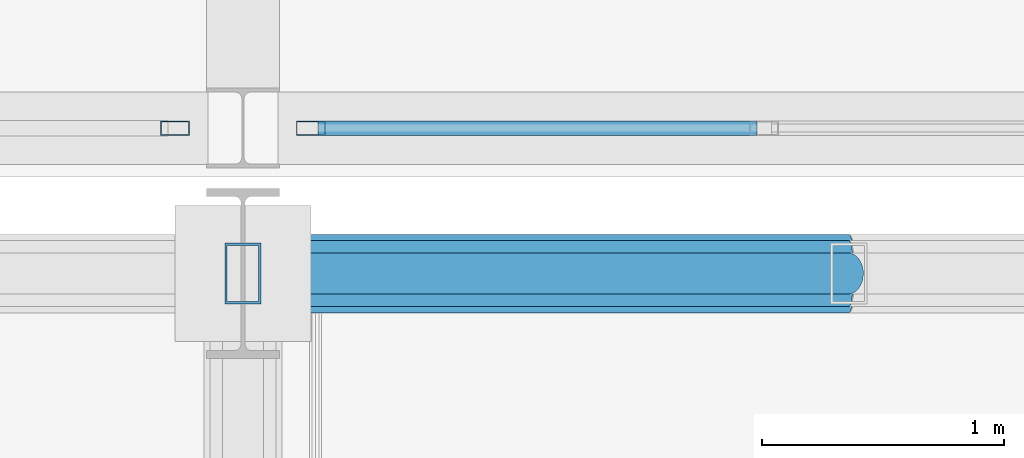
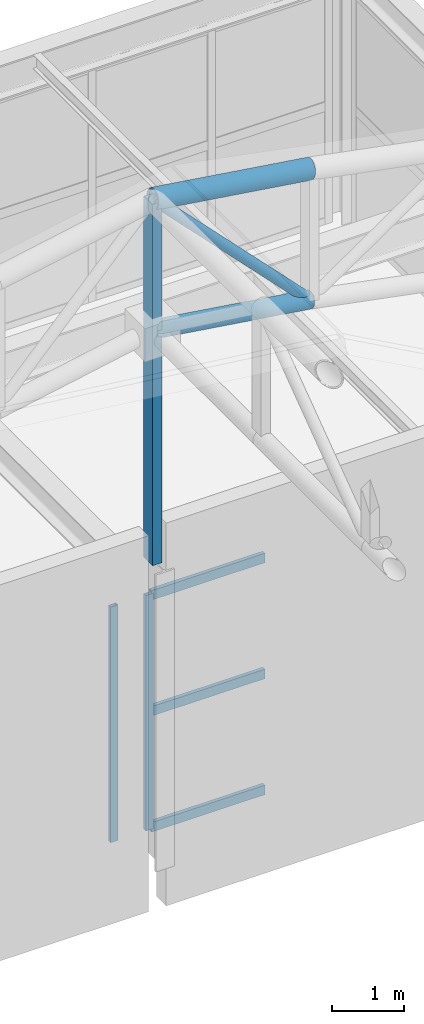
# One storey, part 71 of 112: 9 members, 2 elements without a shape of their own.
"""IFC4 building model written with IfcOpenShell, lengths in metres."""

import ifcopenshell
import ifcopenshell.guid

model = None  # the IFC model being written
_history = None  # IfcOwnerHistory: only IFC2X3 demands one
_inside = {}  # id of a spatial element -> (the spatial element, [elements in it])
_under = {}  # id of a project, library or spatial element -> (it, [spatial elements below it])
_declared = {}  # id of a project -> (the project, [libraries it declares])
_typed = {}  # id of a type object -> (the type object, [elements of that type])
_made_of = {}  # id of a material, layer set ... -> (it, [elements and type objects made of it])


def new_model(schema):
    """Start an empty IFC model of exactly this schema.

    Asked for "IFC4X3", IfcOpenShell would pick the latest addendum, in which some entities
    have other attributes; the version numbers below select the first issue.
    IFC2X3 requires an IfcOwnerHistory on every rooted entity: one is made here for all.
    """
    global model, _history
    if schema == "IFC4X3":
        model = ifcopenshell.file(schema_version=(4, 3, 0, 0))
    else:
        model = ifcopenshell.file(schema=schema)
    _inside.clear()
    _under.clear()
    _declared.clear()
    _typed.clear()
    _made_of.clear()
    _history = None
    if model.schema == "IFC2X3":
        org = make("IfcOrganization", Name="unknown")
        user = make(
            "IfcPersonAndOrganization",
            ThePerson=make("IfcPerson", FamilyName="unknown"),
            TheOrganization=org,
        )
        app = make(
            "IfcApplication",
            ApplicationDeveloper=org,
            Version="unknown",
            ApplicationFullName="unknown",
            ApplicationIdentifier="unknown",
        )
        _history = make(
            "IfcOwnerHistory",
            OwningUser=user,
            OwningApplication=app,
            ChangeAction="ADDED",
            CreationDate=0,
        )
    return model


def make(cls, **values):
    """One entity of the class cls with the attributes given. An attribute that is None is left unset."""
    return model.create_entity(
        cls, **{name: value for name, value in values.items() if value is not None}
    )


def rooted(cls, **values):
    """An entity with a GlobalId (a new one), such as an element, a storey or a relation."""
    return make(cls, GlobalId=ifcopenshell.guid.new(), OwnerHistory=_history, **values)


def si_unit(unit_type, name, prefix=None):
    """IfcSIUnit, for example si_unit("LENGTHUNIT", "METRE", prefix="MILLI")."""
    return make("IfcSIUnit", UnitType=unit_type, Prefix=prefix, Name=name)


def assignment(units):
    """IfcUnitAssignment: the units of a project."""
    return None if units is None else make("IfcUnitAssignment", Units=units)


def point(xyz):
    """IfcCartesianPoint."""
    return None if xyz is None else make("IfcCartesianPoint", Coordinates=xyz)


def direction(xyz):
    """IfcDirection."""
    return None if xyz is None else make("IfcDirection", DirectionRatios=xyz)


def frame(location, z_axis=None, x_axis=None):
    """IfcAxis2Placement3D, a coordinate frame: its origin and axes. An axis left out is left unset."""
    return make(
        "IfcAxis2Placement3D",
        Location=point(location),
        Axis=direction(z_axis),
        RefDirection=direction(x_axis),
    )


def frame_2d(location, x_axis=None):
    """IfcAxis2Placement2D, a coordinate frame in the plane: its origin and x axis."""
    return make(
        "IfcAxis2Placement2D", Location=point(location), RefDirection=direction(x_axis)
    )


def origin():
    """The frame at (0, 0, 0) with its axes left unset."""
    return frame((0.0, 0.0, 0.0))


def origin_2d():
    """The frame at (0, 0) in the plane with its x axis left unset."""
    return frame_2d((0.0, 0.0))


def place(relative_to, where):
    """IfcLocalPlacement: puts the frame where relative to a parent placement (None: the world)."""
    return make(
        "IfcLocalPlacement", PlacementRelTo=relative_to, RelativePlacement=where
    )


def context(
    kind, dimensions, precision=None, world=None, true_north=None, identifier=None
):
    """IfcGeometricRepresentationContext, for example the 3D "Model" context."""
    return make(
        "IfcGeometricRepresentationContext",
        ContextIdentifier=identifier,
        ContextType=kind,
        CoordinateSpaceDimension=dimensions,
        Precision=precision,
        WorldCoordinateSystem=world,
        TrueNorth=true_north,
    )


def subcontext(parent, identifier, kind, view, scale=None):
    """IfcGeometricRepresentationSubContext, for example "Body" below "Model"."""
    return make(
        "IfcGeometricRepresentationSubContext",
        ContextIdentifier=identifier,
        ContextType=kind,
        ParentContext=parent,
        TargetScale=scale,
        TargetView=view,
    )


def project(units=None, contexts=None):
    """IfcProject with its units and contexts."""
    return rooted(
        "IfcProject",
        Name="project",
        RepresentationContexts=contexts,
        UnitsInContext=assignment(units),
    )


def spatial(cls, under=None, at=None, **own):
    """A site, building, storey or space (cls), placed at a placement, below another one or the project."""
    s = rooted(cls, ObjectPlacement=at, **own)
    if under is not None:
        _under.setdefault(under.id(), (under, []))[1].append(s)
    return s


def profile(cls, at=None, kind="AREA", **sizes):
    """A parametric profile (cls). Its sizes go by their IFC names, for example OverallWidth=200.0."""
    return make(cls, ProfileType=kind, Position=at, **sizes)


def hollow_rectangle(**sizes):
    """IfcRectangleHollowProfileDef."""
    return profile("IfcRectangleHollowProfileDef", **sizes)


def hollow_circle(**sizes):
    """IfcCircleHollowProfileDef."""
    return profile("IfcCircleHollowProfileDef", **sizes)


def extrude(swept, where, along, depth):
    """IfcExtrudedAreaSolid: the profile swept, set in the frame where, extruded along a direction by depth."""
    return make(
        "IfcExtrudedAreaSolid",
        SweptArea=swept,
        Position=where,
        ExtrudedDirection=direction(along),
        Depth=depth,
    )


def shape(context_of_items, identifier, shape_type, items):
    """IfcShapeRepresentation: the items that make up one representation, for example the "Body"."""
    return make(
        "IfcShapeRepresentation",
        ContextOfItems=context_of_items,
        RepresentationIdentifier=identifier,
        RepresentationType=shape_type,
        Items=items,
    )


def material(Name=None, Category=None):
    """IfcMaterial."""
    return make("IfcMaterial", Name=Name, Category=Category)


def material_profile(
    of_material, cross_section, Name=None, Category=None, Priority=None
):
    """IfcMaterialProfile: a cross section and its material."""
    return make(
        "IfcMaterialProfile",
        Name=Name,
        Material=of_material,
        Profile=cross_section,
        Priority=Priority,
        Category=Category,
    )


def profile_set(profiles, Name=None, composite=None):
    """IfcMaterialProfileSet."""
    return make(
        "IfcMaterialProfileSet",
        Name=Name,
        MaterialProfiles=profiles,
        CompositeProfile=composite,
    )


def made_of(thing, what):
    """Note that an element or type object is made of a material, layer set ...; save() writes the relation."""
    if what is not None:
        _made_of.setdefault(what.id(), (what, []))[1].append(thing)
    return thing


def type_object(cls, material=None, **own):
    """A type object (cls), such as IfcWallType, which elements share."""
    return made_of(rooted(cls, **own), material)


def element(
    cls,
    number,
    at=None,
    inside=None,
    cuts=None,
    type_object=None,
    material=None,
    context=None,
    identifier="Body",
    shape_type=None,
    held_by="IfcProductDefinitionShape",
    body=None,
    shapes=None,
    **own,
):
    """One element of the class cls, such as IfcWall. Its Tag is "e" and its number.

    at: its placement. inside: the storey or other place that contains it. cuts: it is an
    opening in that element (IfcRelVoidsElement). A single representation is given by context,
    identifier, shape_type and body (its items); several are given by shapes. held_by: the class
    of the entity that holds the representations. save() writes the other relations.
    """
    e = rooted(cls, Tag="e%d" % number, ObjectPlacement=at, **own)
    if body is not None:
        shapes = [shape(context, identifier, shape_type, body)]
    if shapes is not None:
        e.Representation = make(held_by, Representations=shapes)
    if inside is not None:
        _inside.setdefault(inside.id(), (inside, []))[1].append(e)
    if cuts is not None:
        rooted(
            "IfcRelVoidsElement", RelatingBuildingElement=cuts, RelatedOpeningElement=e
        )
    if type_object is not None:
        _typed.setdefault(type_object.id(), (type_object, []))[1].append(e)
    return made_of(e, material)


def aggregate(whole, parts):
    """IfcRelAggregates: a whole, such as a stair, and the parts it consists of."""
    return rooted("IfcRelAggregates", RelatingObject=whole, RelatedObjects=parts)


def save(model, path):
    """Write the relations noted so far, then the file.

    IfcRelAggregates (storeys below a building ...), IfcRelContainedInSpatialStructure (elements
    in a storey), IfcRelDefinesByType, IfcRelAssociatesMaterial and IfcRelDeclares: one each for
    every whole, place, type object, material and project.
    """
    for whole, parts in _under.values():
        aggregate(whole, parts)
    for where, things in _inside.values():
        rooted(
            "IfcRelContainedInSpatialStructure",
            RelatedElements=things,
            RelatingStructure=where,
        )
    for kind, things in _typed.values():
        rooted("IfcRelDefinesByType", RelatedObjects=things, RelatingType=kind)
    for what, things in _made_of.values():
        rooted("IfcRelAssociatesMaterial", RelatedObjects=things, RelatingMaterial=what)
    for by, libraries in _declared.values():
        rooted("IfcRelDeclares", RelatingContext=by, RelatedDefinitions=libraries)
    model.write(path)


model = new_model("IFC4")

# Units and contexts
model_context = context("Model", 3, precision=1e-05, world=origin(), true_north=direction((0.0, 1.0)))
body_context = subcontext(model_context, "Body", "Model", "MODEL_VIEW")
ifc_project = project(units=[si_unit("LENGTHUNIT", "METRE"), si_unit("AREAUNIT", "SQUARE_METRE"), si_unit("VOLUMEUNIT", "CUBIC_METRE"), si_unit("PLANEANGLEUNIT", "RADIAN"), si_unit("MASSUNIT", "GRAM", prefix="KILO")], contexts=[model_context])

# Site, building, storey
site_placement = place(None, origin())
site = spatial("IfcSite", under=ifc_project, at=site_placement, CompositionType="ELEMENT")
building_placement = place(site_placement, origin())
building = spatial("IfcBuilding", under=site, at=building_placement, Name="Kaldris Quays Convention Centre", CompositionType="ELEMENT")
storey_placement = place(building_placement, frame((0.0, 0.0, 16.800048828125)))
storey = spatial("IfcBuildingStorey", under=building, at=storey_placement, Name="L03", CompositionType="ELEMENT", Elevation=16.800048828125)

# Curtain wall, member
ifc_material_1 = material(Name="Anodized aluminium AW-6060 and triple glazing", Category="aluminium")
curtain_wall_type = type_object("IfcCurtainWallType", Name="UNITISED CURTAIN WALL CW06", PredefinedType="NOTDEFINED", material=ifc_material_1)
curtain_wall_1_placement = place(storey_placement, origin())
curtain_wall_1 = element("IfcCurtainWall", 1, at=curtain_wall_1_placement, inside=storey, type_object=curtain_wall_type, Name="L03 Unitised Curtain Wall CW06 176", PredefinedType="NOTDEFINED")
ifc_material_2 = material(Name="Anodized aluminium AW-6060", Category="aluminium")
ifc_material_profile_1 = material_profile(ifc_material_2, hollow_rectangle(XDim=0.06005859375, YDim=0.1201171875, WallThickness=0.00390625, at=origin_2d()), Name="RHS 120x60x4")
ifc_profile_set_1 = profile_set([ifc_material_profile_1], Name="Anodized aluminium AW-6060")
member_type_1 = type_object("IfcMemberType", Name="CURTAIN MULLION CWM3", PredefinedType="MULLION", material=ifc_profile_set_1)
member_1_placement = place(storey_placement, frame((183.719970703125, 104.60009765625, 0.0), z_axis=(0.0, 0.0, 1.0), x_axis=(0.0, 1.0, 0.0)))
member_1 = element("IfcMember", 2, at=member_1_placement, type_object=member_type_1, Name="CW06 mullion 6", PredefinedType="MULLION", context=body_context, shape_type="SweptSolid", body=[
    extrude(hollow_rectangle(XDim=0.06005859375, YDim=0.1201171875, WallThickness=0.00390625, at=origin_2d()), origin(), (0.0, 0.0, 1.0), 3.967041015625),
])
aggregate(curtain_wall_1, [member_1])

# Curtain wall, members
curtain_wall_2_placement = place(storey_placement, origin())
curtain_wall_2 = element("IfcCurtainWall", 3, at=curtain_wall_2_placement, inside=storey, type_object=curtain_wall_type, Name="L03 Unitised Curtain Wall CW06 178", PredefinedType="NOTDEFINED")
member_2_placement = place(storey_placement, frame((184.280029296875, 104.60009765625, 0.0), z_axis=(0.0, 0.0, 1.0), x_axis=(0.0, 1.0, 0.0)))
member_2 = element("IfcMember", 4, at=member_2_placement, type_object=member_type_1, Name="CW06 mullion 1", PredefinedType="MULLION", context=body_context, shape_type="SweptSolid", body=[
    extrude(hollow_rectangle(XDim=0.06005859375, YDim=0.1201171875, WallThickness=0.00390625, at=origin_2d()), origin(), (0.0, 0.0, 1.0), 3.967041015625),
])
ifc_material_profile_2 = material_profile(ifc_material_2, hollow_rectangle(XDim=0.06005859375, YDim=0.159912109375, WallThickness=0.00390625, at=origin_2d()), Name="RHS 160x60x4")
ifc_profile_set_2 = profile_set([ifc_material_profile_2], Name="Anodized aluminium AW-6060")
member_type_2 = type_object("IfcMemberType", Name="CURTAIN TRANSOM CWT2", PredefinedType="USERDEFINED", material=ifc_profile_set_2)
member_3_placement = place(storey_placement, frame((184.31005859375, 104.60009765625, 0.030029296875), z_axis=(1.0, 0.0, 0.0), x_axis=(0.0, 1.0, 0.0)))
member_3 = element("IfcMember", 5, at=member_3_placement, type_object=member_type_2, Name="CW06 transom 1.1", ObjectType="TRANSOM", PredefinedType="USERDEFINED", context=body_context, shape_type="SweptSolid", body=[
    extrude(hollow_rectangle(XDim=0.06005859375, YDim=0.159912109375, WallThickness=0.00390625, at=origin_2d()), origin(), (0.0, 0.0, 1.0), 1.81005859375),
])
member_4_placement = place(storey_placement, frame((184.31005859375, 104.60009765625, 1.98388671875), z_axis=(1.0, 0.0, 0.0), x_axis=(0.0, 1.0, 0.0)))
member_4 = element("IfcMember", 6, at=member_4_placement, type_object=member_type_2, Name="CW06 transom 1.2", ObjectType="TRANSOM", PredefinedType="USERDEFINED", context=body_context, shape_type="SweptSolid", body=[
    extrude(hollow_rectangle(XDim=0.06005859375, YDim=0.159912109375, WallThickness=0.00390625, at=origin_2d()), origin(), (0.0, 0.0, 1.0), 1.81005859375),
])
member_5_placement = place(storey_placement, frame((184.31005859375, 104.60009765625, 3.93701171875), z_axis=(1.0, 0.0, 0.0), x_axis=(0.0, 1.0, 0.0)))
member_5 = element("IfcMember", 7, at=member_5_placement, type_object=member_type_2, Name="CW06 transom 1.3", ObjectType="TRANSOM", PredefinedType="USERDEFINED", context=body_context, shape_type="SweptSolid", body=[
    extrude(hollow_rectangle(XDim=0.06005859375, YDim=0.159912109375, WallThickness=0.00390625, at=origin_2d()), origin(), (0.0, 0.0, 1.0), 1.81005859375),
])
aggregate(curtain_wall_2, [member_2, member_3, member_4, member_5])

# Members
ifc_material_3 = material(Name="Steel S355J2H", Category="steel")
ifc_material_profile_3 = material_profile(ifc_material_3, hollow_circle(Radius=0.161865234375, WallThickness=0.01611328125, at=origin_2d()), Name="CHS 323.9x16")
ifc_profile_set_3 = profile_set([ifc_material_profile_3], Name="Steel S355J2H")
member_type_3 = type_object("IfcMemberType", Name="STRUCTURAL MEMBER SC03", PredefinedType="CHORD", material=ifc_profile_set_3)
member_6_placement = place(storey_placement, frame((184.0, 104.0, 11.072509765625), z_axis=(0.989426934202, 0.0, -0.145032209789), x_axis=(0.0, 1.0, 0.0)))
element("IfcMember", 8, at=member_6_placement, inside=storey, type_object=member_type_3, Name="SF-V2 Top Chord X 68", PredefinedType="CHORD", context=body_context, shape_type="SweptSolid", body=[
    extrude(hollow_circle(Radius=0.161865234375, WallThickness=0.01611328125, at=origin_2d()), origin(), (0.0, 0.0, 1.0), 2.526611328125),
])
ifc_material_profile_4 = material_profile(ifc_material_3, hollow_circle(Radius=0.136474609375, WallThickness=0.012451171875, at=origin_2d()), Name="CHS 273x12.5")
ifc_profile_set_4 = profile_set([ifc_material_profile_4], Name="Steel S355J2H")
member_type_4 = type_object("IfcMemberType", Name="STRUCTURAL MEMBER SC04", PredefinedType="CHORD", material=ifc_profile_set_4)
member_7_placement = place(storey_placement, frame((184.0, 104.0, 8.87255859375), z_axis=(0.989426934202, 0.0, -0.145032209789), x_axis=(0.0, 1.0, 0.0)))
element("IfcMember", 9, at=member_7_placement, inside=storey, type_object=member_type_4, Name="SF-V2 Bottom Chord X 68", PredefinedType="CHORD", context=body_context, shape_type="SweptSolid", body=[
    extrude(hollow_circle(Radius=0.136474609375, WallThickness=0.012451171875, at=origin_2d()), origin(), (0.0, 0.0, 1.0), 2.526611328125),
])
ifc_material_profile_5 = material_profile(ifc_material_3, hollow_circle(Radius=0.084228515625, WallThickness=0.008056640625, at=origin_2d()), Name="CHS 168.3x8")
ifc_profile_set_5 = profile_set([ifc_material_profile_5], Name="Steel S355J2H")
member_type_5 = type_object("IfcMemberType", Name="STRUCTURAL MEMBER SWB2", PredefinedType="BRACE", material=ifc_profile_set_5)
member_8_placement = place(storey_placement, frame((186.5, 104.0, 8.506103515625), z_axis=(-0.697778676232, 0.0, 0.71631342232), x_axis=(0.0, -1.0, 0.0)))
element("IfcMember", 10, at=member_8_placement, inside=storey, type_object=member_type_5, Name="SF-V2 Web Diagonal X 68", PredefinedType="BRACE", context=body_context, shape_type="SweptSolid", body=[
    extrude(hollow_circle(Radius=0.084228515625, WallThickness=0.008056640625, at=origin_2d()), origin(), (0.0, 0.0, 1.0), 3.582763671875),
])
ifc_material_profile_6 = material_profile(ifc_material_3, hollow_rectangle(XDim=0.14990234375, YDim=0.25, WallThickness=0.010009765625, at=origin_2d()), Name="RHS 250x150x10")
ifc_profile_set_6 = profile_set([ifc_material_profile_6], Name="Steel S355J2H")
member_type_6 = type_object("IfcMemberType", Name="STRUCTURAL MEMBER TTV1", PredefinedType="POST", material=ifc_profile_set_6)
member_9_placement = place(storey_placement, frame((184.0, 104.0, 4.993896484375), z_axis=(0.0, 0.0, 1.0), x_axis=(1.0, 0.0, 0.0)))
element("IfcMember", 11, at=member_9_placement, inside=storey, type_object=member_type_6, Name="SF-V2 Space-Frame Post 76", PredefinedType="POST", context=body_context, shape_type="SweptSolid", body=[
    extrude(hollow_rectangle(XDim=0.14990234375, YDim=0.25, WallThickness=0.010009765625, at=origin_2d()), origin(), (0.0, 0.0, 1.0), 6.07861328125),
])

save(model, "model.ifc")
